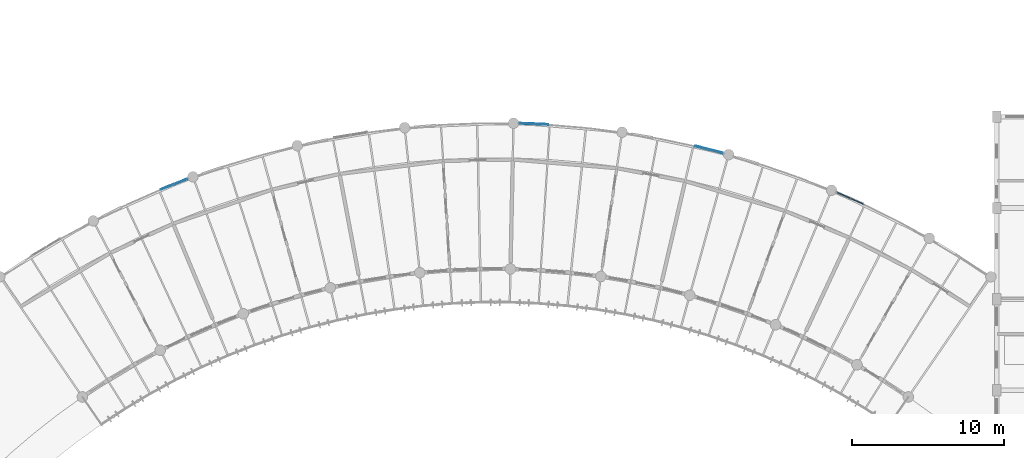
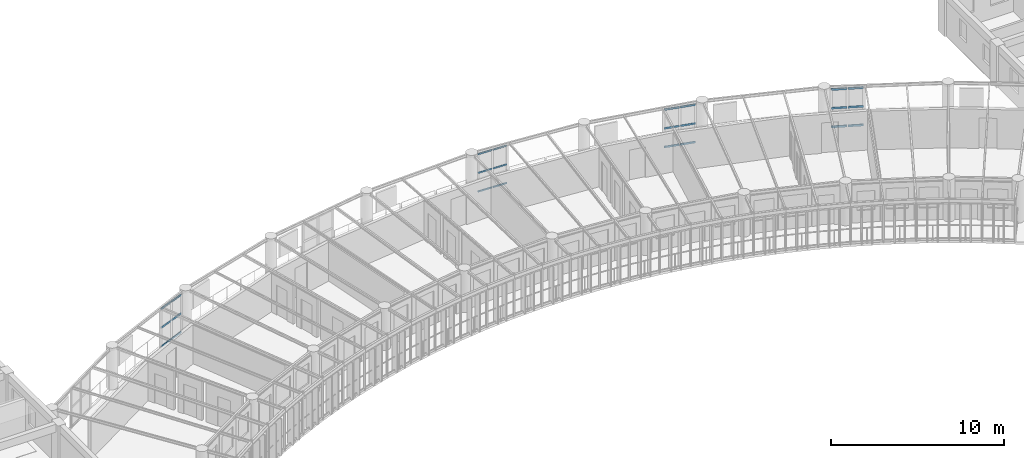
# One storey, part 59 of 123: 24 members, 4 elements without a shape of their own.
"""IFC4 building model written with IfcOpenShell, lengths in metres."""

from ifc_helpers import new_model, si_unit, direction, frame, origin, origin_2d, place, context, subcontext, project, spatial, rectangle, extrude, material, layer, layer_set, material_profile, profile_set, type_object, element, aggregate, save


model = new_model("IFC4")

# Units and contexts
model_context = context("Model", 3, precision=1e-05, world=origin(), true_north=direction((0.0, 1.0)))
body_context = subcontext(model_context, "Body", "Model", "MODEL_VIEW")
ifc_project = project(units=[si_unit("LENGTHUNIT", "METRE"), si_unit("AREAUNIT", "SQUARE_METRE"), si_unit("VOLUMEUNIT", "CUBIC_METRE"), si_unit("PLANEANGLEUNIT", "RADIAN"), si_unit("MASSUNIT", "GRAM", prefix="KILO"), si_unit("POWERUNIT", "WATT"), si_unit("THERMODYNAMICTEMPERATUREUNIT", "KELVIN")], contexts=[model_context])

# Site, building, storey
site_placement = place(None, origin())
site = spatial("IfcSite", under=ifc_project, at=site_placement, CompositionType="ELEMENT")
building_placement = place(site_placement, origin())
building = spatial("IfcBuilding", under=site, at=building_placement, Name="Ruvembo Vaulted Housing Court", CompositionType="ELEMENT")
storey_placement = place(building_placement, frame((0.0, 0.0, 7.699951171875)))
storey = spatial("IfcBuildingStorey", under=building, at=storey_placement, Name="L02", CompositionType="ELEMENT", Elevation=7.699951171875)

# Curtain wall, members
ifc_material_1 = material(Name="Anodised Aluminium and Solar-Control Glass", Category="aluminium")
ifc_layer_1 = layer(ifc_material_1, 0.1201171875, Name="Anodised Aluminium and Solar-Control Glass")
ifc_layer_set_1 = layer_set([ifc_layer_1], Name="Anodised Aluminium and Solar-Control Glass")
curtain_wall_type_1 = type_object("IfcCurtainWallType", Name="CW-SCOOP-GAL", PredefinedType="NOTDEFINED", material=ifc_layer_set_1)
curtain_wall_1_placement = place(storey_placement, origin())
curtain_wall_1 = element("IfcCurtainWall", 1, at=curtain_wall_1_placement, inside=storey, type_object=curtain_wall_type_1, Name="L02 Curtain Wall CW-L02-0066", PredefinedType="NOTDEFINED")
ifc_material_2 = material(Name="Anodised Aluminium 6063-T6", Category="aluminium")
ifc_material_profile_1 = material_profile(ifc_material_2, rectangle(XDim=0.06005859375, YDim=0.1201171875, at=origin_2d()), Name="ALU 60x120")
ifc_profile_set_1 = profile_set([ifc_material_profile_1], Name="Anodised Aluminium 6063-T6")
member_type_1 = type_object("IfcMemberType", Name="CW-TRANSOM-65x120", PredefinedType="USERDEFINED", material=ifc_profile_set_1)
member_1_placement = place(storey_placement, frame((94.976806640625, 103.220947265625, 0.030029296875), z_axis=(0.931042044482, 0.364911922808, 0.0), x_axis=(-0.364911922808, 0.931042044482, 0.0)))
member_1 = element("IfcMember", 2, at=member_1_placement, type_object=member_type_1, Name="CW6 transom 1.1", ObjectType="TRANSOM", PredefinedType="USERDEFINED", context=body_context, shape_type="SweptSolid", body=[
    extrude(rectangle(XDim=0.06005859375, YDim=0.1201171875, at=origin_2d()), origin(), (0.0, 0.0, 1.0), 0.89794921875),
])
member_2_placement = place(storey_placement, frame((94.976806640625, 103.220947265625, 1.34912109375), z_axis=(0.931042044482, 0.364911922808, 0.0), x_axis=(-0.364911922808, 0.931042044482, 0.0)))
member_2 = element("IfcMember", 3, at=member_2_placement, type_object=member_type_1, Name="CW6 transom 1.2", ObjectType="TRANSOM", PredefinedType="USERDEFINED", context=body_context, shape_type="SweptSolid", body=[
    extrude(rectangle(XDim=0.06005859375, YDim=0.1201171875, at=origin_2d()), origin(), (0.0, 0.0, 1.0), 0.89794921875),
])
member_3_placement = place(storey_placement, frame((94.976806640625, 103.220947265625, 2.66796875), z_axis=(0.931042044482, 0.364911922808, 0.0), x_axis=(-0.364911922808, 0.931042044482, 0.0)))
member_3 = element("IfcMember", 4, at=member_3_placement, type_object=member_type_1, Name="CW6 transom 1.3", ObjectType="TRANSOM", PredefinedType="USERDEFINED", context=body_context, shape_type="SweptSolid", body=[
    extrude(rectangle(XDim=0.06005859375, YDim=0.1201171875, at=origin_2d()), origin(), (0.0, 0.0, 1.0), 0.89794921875),
])
member_4_placement = place(storey_placement, frame((95.873046875, 103.572509765625, 0.030029296875), z_axis=(0.931042044482, 0.364911922808, 0.0), x_axis=(-0.364911922808, 0.931042044482, 0.0)))
member_4 = element("IfcMember", 5, at=member_4_placement, type_object=member_type_1, Name="CW6 transom 2.1", ObjectType="TRANSOM", PredefinedType="USERDEFINED", context=body_context, shape_type="SweptSolid", body=[
    extrude(rectangle(XDim=0.06005859375, YDim=0.1201171875, at=origin_2d()), origin(), (0.0, 0.0, 1.0), 0.89794921875),
])
member_5_placement = place(storey_placement, frame((95.873046875, 103.572509765625, 1.34912109375), z_axis=(0.931042044482, 0.364911922808, 0.0), x_axis=(-0.364911922808, 0.931042044482, 0.0)))
member_5 = element("IfcMember", 6, at=member_5_placement, type_object=member_type_1, Name="CW6 transom 2.2", ObjectType="TRANSOM", PredefinedType="USERDEFINED", context=body_context, shape_type="SweptSolid", body=[
    extrude(rectangle(XDim=0.06005859375, YDim=0.1201171875, at=origin_2d()), origin(), (0.0, 0.0, 1.0), 0.89794921875),
])
member_6_placement = place(storey_placement, frame((95.873046875, 103.572509765625, 2.66796875), z_axis=(0.931042044482, 0.364911922808, 0.0), x_axis=(-0.364911922808, 0.931042044482, 0.0)))
member_6 = element("IfcMember", 7, at=member_6_placement, type_object=member_type_1, Name="CW6 transom 2.3", ObjectType="TRANSOM", PredefinedType="USERDEFINED", context=body_context, shape_type="SweptSolid", body=[
    extrude(rectangle(XDim=0.06005859375, YDim=0.1201171875, at=origin_2d()), origin(), (0.0, 0.0, 1.0), 0.89794921875),
])
aggregate(curtain_wall_1, [member_1, member_2, member_3, member_4, member_5, member_6])

ifc_layer_2 = layer(ifc_material_1, 0.139892578125, Name="Anodised Aluminium and Solar-Control Glass")
ifc_layer_set_2 = layer_set([ifc_layer_2], Name="Anodised Aluminium and Solar-Control Glass")
curtain_wall_type_2 = type_object("IfcCurtainWallType", Name="CW-SCOOP-PAN", PredefinedType="NOTDEFINED", material=ifc_layer_set_2)
curtain_wall_2_placement = place(storey_placement, origin())
curtain_wall_2 = element("IfcCurtainWall", 8, at=curtain_wall_2_placement, inside=storey, type_object=curtain_wall_type_2, Name="L02 Curtain Wall CW-L02-0069", PredefinedType="NOTDEFINED")
member_7_placement = place(storey_placement, frame((130.143310546875, 106.078125, 0.030029296875), z_axis=(0.969151065644, -0.246467466332, 0.0), x_axis=(0.246467466332, 0.969151065644, 0.0)))
member_7 = element("IfcMember", 9, at=member_7_placement, type_object=member_type_1, Name="CW10 transom 1.1", ObjectType="TRANSOM", PredefinedType="USERDEFINED", context=body_context, shape_type="SweptSolid", body=[
    extrude(rectangle(XDim=0.06005859375, YDim=0.1201171875, at=origin_2d()), origin(), (0.0, 0.0, 1.0), 0.9052734375),
])
member_8_placement = place(storey_placement, frame((130.143310546875, 106.078125, 1.34912109375), z_axis=(0.969151065644, -0.246467466332, 0.0), x_axis=(0.246467466332, 0.969151065644, 0.0)))
member_8 = element("IfcMember", 10, at=member_8_placement, type_object=member_type_1, Name="CW10 transom 1.2", ObjectType="TRANSOM", PredefinedType="USERDEFINED", context=body_context, shape_type="SweptSolid", body=[
    extrude(rectangle(XDim=0.06005859375, YDim=0.1201171875, at=origin_2d()), origin(), (0.0, 0.0, 1.0), 0.9052734375),
])
member_9_placement = place(storey_placement, frame((130.143310546875, 106.078125, 2.66796875), z_axis=(0.969151065644, -0.246467466332, 0.0), x_axis=(0.246467466332, 0.969151065644, 0.0)))
member_9 = element("IfcMember", 11, at=member_9_placement, type_object=member_type_1, Name="CW10 transom 1.3", ObjectType="TRANSOM", PredefinedType="USERDEFINED", context=body_context, shape_type="SweptSolid", body=[
    extrude(rectangle(XDim=0.06005859375, YDim=0.1201171875, at=origin_2d()), origin(), (0.0, 0.0, 1.0), 0.9052734375),
])
member_10_placement = place(storey_placement, frame((131.078857421875, 105.84033203125, 0.030029296875), z_axis=(0.969151065644, -0.246467466332, 0.0), x_axis=(0.246467466332, 0.969151065644, 0.0)))
member_10 = element("IfcMember", 12, at=member_10_placement, type_object=member_type_1, Name="CW10 transom 2.1", ObjectType="TRANSOM", PredefinedType="USERDEFINED", context=body_context, shape_type="SweptSolid", body=[
    extrude(rectangle(XDim=0.06005859375, YDim=0.1201171875, at=origin_2d()), origin(), (0.0, 0.0, 1.0), 0.9052734375),
])
member_11_placement = place(storey_placement, frame((131.078857421875, 105.84033203125, 1.34912109375), z_axis=(0.969151065644, -0.246467466332, 0.0), x_axis=(0.246467466332, 0.969151065644, 0.0)))
member_11 = element("IfcMember", 13, at=member_11_placement, type_object=member_type_1, Name="CW10 transom 2.2", ObjectType="TRANSOM", PredefinedType="USERDEFINED", context=body_context, shape_type="SweptSolid", body=[
    extrude(rectangle(XDim=0.06005859375, YDim=0.1201171875, at=origin_2d()), origin(), (0.0, 0.0, 1.0), 0.9052734375),
])
member_12_placement = place(storey_placement, frame((131.078857421875, 105.84033203125, 2.66796875), z_axis=(0.969151065644, -0.246467466332, 0.0), x_axis=(0.246467466332, 0.969151065644, 0.0)))
member_12 = element("IfcMember", 14, at=member_12_placement, type_object=member_type_1, Name="CW10 transom 2.3", ObjectType="TRANSOM", PredefinedType="USERDEFINED", context=body_context, shape_type="SweptSolid", body=[
    extrude(rectangle(XDim=0.06005859375, YDim=0.1201171875, at=origin_2d()), origin(), (0.0, 0.0, 1.0), 0.9052734375),
])
aggregate(curtain_wall_2, [member_7, member_8, member_9, member_10, member_11, member_12])

curtain_wall_3_placement = place(storey_placement, origin())
curtain_wall_3 = element("IfcCurtainWall", 15, at=curtain_wall_3_placement, inside=storey, type_object=curtain_wall_type_1, Name="L02 Curtain Wall CW-L02-0068", PredefinedType="NOTDEFINED")
ifc_material_profile_2 = material_profile(ifc_material_2, rectangle(XDim=0.06005859375, YDim=0.10009765625, at=origin_2d()), Name="ALU 60x100")
ifc_profile_set_2 = profile_set([ifc_material_profile_2], Name="Anodised Aluminium 6063-T6")
member_type_2 = type_object("IfcMemberType", Name="CW-TRN-60x100", PredefinedType="USERDEFINED", material=ifc_profile_set_2)
member_13_placement = place(storey_placement, frame((118.60498046875, 107.570556640625, 0.030029296875), z_axis=(0.999137739244, -0.041518405786, 0.0), x_axis=(0.041518405786, 0.999137739244, 0.0)))
member_13 = element("IfcMember", 16, at=member_13_placement, type_object=member_type_2, Name="CW6 transom 1.1", ObjectType="TRANSOM", PredefinedType="USERDEFINED", context=body_context, shape_type="SweptSolid", body=[
    extrude(rectangle(XDim=0.06005859375, YDim=0.10009765625, at=origin_2d()), origin(), (0.0, 0.0, 1.0), 0.905517578125),
])
member_14_placement = place(storey_placement, frame((118.60498046875, 107.570556640625, 1.34912109375), z_axis=(0.999137739244, -0.041518405786, 0.0), x_axis=(0.041518405786, 0.999137739244, 0.0)))
member_14 = element("IfcMember", 17, at=member_14_placement, type_object=member_type_2, Name="CW6 transom 1.2", ObjectType="TRANSOM", PredefinedType="USERDEFINED", context=body_context, shape_type="SweptSolid", body=[
    extrude(rectangle(XDim=0.06005859375, YDim=0.10009765625, at=origin_2d()), origin(), (0.0, 0.0, 1.0), 0.905517578125),
])
member_15_placement = place(storey_placement, frame((118.60498046875, 107.570556640625, 2.66796875), z_axis=(0.999137739244, -0.041518405786, 0.0), x_axis=(0.041518405786, 0.999137739244, 0.0)))
member_15 = element("IfcMember", 18, at=member_15_placement, type_object=member_type_2, Name="CW6 transom 1.3", ObjectType="TRANSOM", PredefinedType="USERDEFINED", context=body_context, shape_type="SweptSolid", body=[
    extrude(rectangle(XDim=0.06005859375, YDim=0.10009765625, at=origin_2d()), origin(), (0.0, 0.0, 1.0), 0.905517578125),
])
member_16_placement = place(storey_placement, frame((119.569580078125, 107.530517578125, 0.030029296875), z_axis=(0.999137739244, -0.041518405786, 0.0), x_axis=(0.041518405786, 0.999137739244, 0.0)))
member_16 = element("IfcMember", 19, at=member_16_placement, type_object=member_type_2, Name="CW6 transom 2.1", ObjectType="TRANSOM", PredefinedType="USERDEFINED", context=body_context, shape_type="SweptSolid", body=[
    extrude(rectangle(XDim=0.06005859375, YDim=0.10009765625, at=origin_2d()), origin(), (0.0, 0.0, 1.0), 0.905517578125),
])
member_17_placement = place(storey_placement, frame((119.569580078125, 107.530517578125, 1.34912109375), z_axis=(0.999137739244, -0.041518405786, 0.0), x_axis=(0.041518405786, 0.999137739244, 0.0)))
member_17 = element("IfcMember", 20, at=member_17_placement, type_object=member_type_2, Name="CW6 transom 2.2", ObjectType="TRANSOM", PredefinedType="USERDEFINED", context=body_context, shape_type="SweptSolid", body=[
    extrude(rectangle(XDim=0.06005859375, YDim=0.10009765625, at=origin_2d()), origin(), (0.0, 0.0, 1.0), 0.905517578125),
])
member_18_placement = place(storey_placement, frame((119.569580078125, 107.530517578125, 2.66796875), z_axis=(0.999137739244, -0.041518405786, 0.0), x_axis=(0.041518405786, 0.999137739244, 0.0)))
member_18 = element("IfcMember", 21, at=member_18_placement, type_object=member_type_2, Name="CW6 transom 2.3", ObjectType="TRANSOM", PredefinedType="USERDEFINED", context=body_context, shape_type="SweptSolid", body=[
    extrude(rectangle(XDim=0.06005859375, YDim=0.10009765625, at=origin_2d()), origin(), (0.0, 0.0, 1.0), 0.905517578125),
])
aggregate(curtain_wall_3, [member_13, member_14, member_15, member_16, member_17, member_18])

curtain_wall_4_placement = place(storey_placement, origin())
curtain_wall_4 = element("IfcCurtainWall", 22, at=curtain_wall_4_placement, inside=storey, type_object=curtain_wall_type_2, Name="L02 Curtain Wall CW-L02-0070", PredefinedType="NOTDEFINED")
ifc_material_profile_3 = material_profile(ifc_material_2, rectangle(XDim=0.06494140625, YDim=0.135009765625, at=origin_2d()), Name="ALU 65x135")
ifc_profile_set_3 = profile_set([ifc_material_profile_3], Name="Anodised Aluminium 6063-T6")
member_type_3 = type_object("IfcMemberType", Name="CW-TRN-65x135", PredefinedType="USERDEFINED", material=ifc_profile_set_3)
member_19_placement = place(storey_placement, frame((139.51025390625, 103.011474609375, 0.032470703125), z_axis=(0.915074279756, -0.403285336368, 0.0), x_axis=(0.403285336368, 0.915074279756, 0.0)))
member_19 = element("IfcMember", 23, at=member_19_placement, type_object=member_type_3, Name="CW10 transom 1.1", ObjectType="TRANSOM", PredefinedType="USERDEFINED", context=body_context, shape_type="SweptSolid", body=[
    extrude(rectangle(XDim=0.06494140625, YDim=0.135009765625, at=origin_2d()), origin(), (0.0, 0.0, 1.0), 0.897705078125),
])
member_20_placement = place(storey_placement, frame((139.51025390625, 103.011474609375, 1.34912109375), z_axis=(0.915074279756, -0.403285336368, 0.0), x_axis=(0.403285336368, 0.915074279756, 0.0)))
member_20 = element("IfcMember", 24, at=member_20_placement, type_object=member_type_3, Name="CW10 transom 1.2", ObjectType="TRANSOM", PredefinedType="USERDEFINED", context=body_context, shape_type="SweptSolid", body=[
    extrude(rectangle(XDim=0.06494140625, YDim=0.135009765625, at=origin_2d()), origin(), (0.0, 0.0, 1.0), 0.897705078125),
])
member_21_placement = place(storey_placement, frame((139.51025390625, 103.011474609375, 2.66552734375), z_axis=(0.915074279756, -0.403285336368, 0.0), x_axis=(0.403285336368, 0.915074279756, 0.0)))
member_21 = element("IfcMember", 25, at=member_21_placement, type_object=member_type_3, Name="CW10 transom 1.3", ObjectType="TRANSOM", PredefinedType="USERDEFINED", context=body_context, shape_type="SweptSolid", body=[
    extrude(rectangle(XDim=0.06494140625, YDim=0.135009765625, at=origin_2d()), origin(), (0.0, 0.0, 1.0), 0.897705078125),
])
member_22_placement = place(storey_placement, frame((140.391357421875, 102.623291015625, 0.032470703125), z_axis=(0.915074279756, -0.403285336368, 0.0), x_axis=(0.403285336368, 0.915074279756, 0.0)))
member_22 = element("IfcMember", 26, at=member_22_placement, type_object=member_type_3, Name="CW10 transom 2.1", ObjectType="TRANSOM", PredefinedType="USERDEFINED", context=body_context, shape_type="SweptSolid", body=[
    extrude(rectangle(XDim=0.06494140625, YDim=0.135009765625, at=origin_2d()), origin(), (0.0, 0.0, 1.0), 0.897705078125),
])
member_23_placement = place(storey_placement, frame((140.391357421875, 102.623291015625, 1.34912109375), z_axis=(0.915074279756, -0.403285336368, 0.0), x_axis=(0.403285336368, 0.915074279756, 0.0)))
member_23 = element("IfcMember", 27, at=member_23_placement, type_object=member_type_3, Name="CW10 transom 2.2", ObjectType="TRANSOM", PredefinedType="USERDEFINED", context=body_context, shape_type="SweptSolid", body=[
    extrude(rectangle(XDim=0.06494140625, YDim=0.135009765625, at=origin_2d()), origin(), (0.0, 0.0, 1.0), 0.897705078125),
])
member_24_placement = place(storey_placement, frame((140.391357421875, 102.623291015625, 2.66552734375), z_axis=(0.915074279756, -0.403285336368, 0.0), x_axis=(0.403285336368, 0.915074279756, 0.0)))
member_24 = element("IfcMember", 28, at=member_24_placement, type_object=member_type_3, Name="CW10 transom 2.3", ObjectType="TRANSOM", PredefinedType="USERDEFINED", context=body_context, shape_type="SweptSolid", body=[
    extrude(rectangle(XDim=0.06494140625, YDim=0.135009765625, at=origin_2d()), origin(), (0.0, 0.0, 1.0), 0.897705078125),
])
aggregate(curtain_wall_4, [member_19, member_20, member_21, member_22, member_23, member_24])

save(model, "model.ifc")
